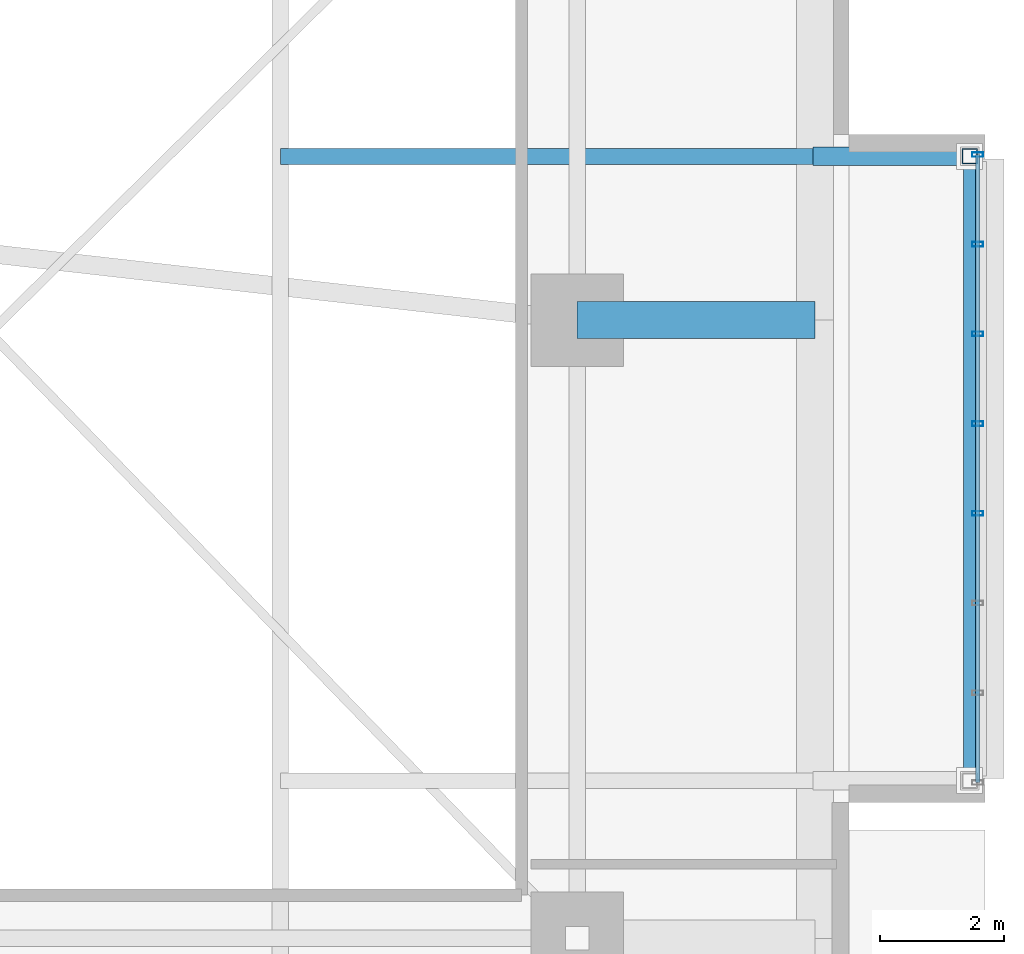
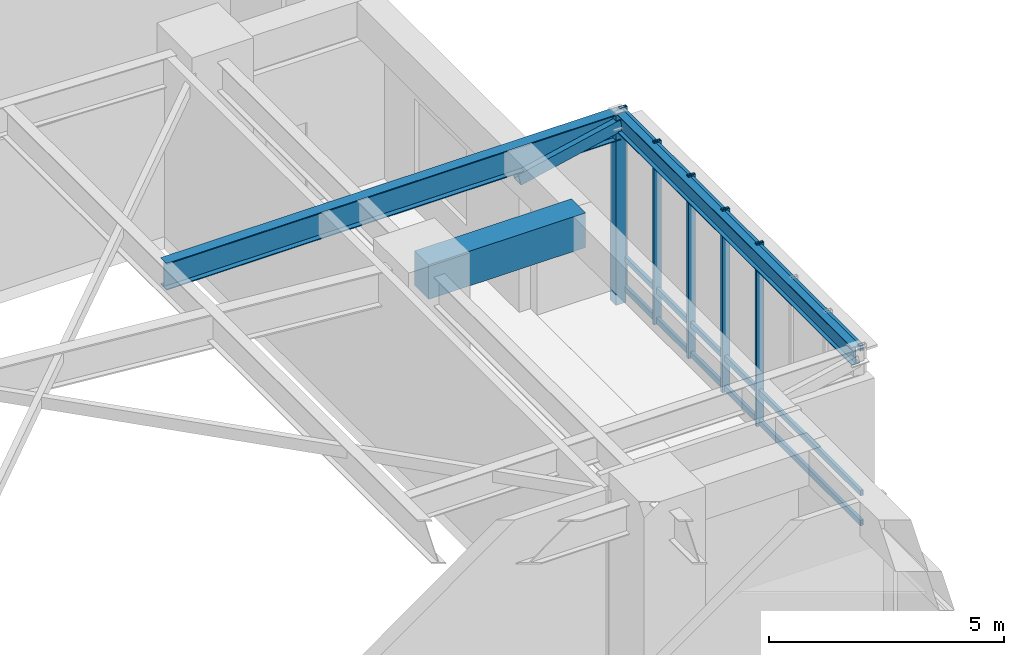
# One storey, part 14 of 26: 10 members, 3 beams, 1 element without a shape of its own.
"""IFC4 building model written with IfcOpenShell, lengths in metres."""

from ifc_helpers import new_model, si_unit, direction, frame, origin, origin_2d, place, context, subcontext, project, spatial, rectangle, hollow_rectangle, i_section, extrude, material, material_profile, profile_set, type_object, element, aggregate, save


model = new_model("IFC4")

# Units and contexts
model_context = context("Model", 3, precision=1e-05, world=origin(), true_north=direction((0.0, 1.0)))
body_context = subcontext(model_context, "Body", "Model", "MODEL_VIEW")
ifc_project = project(units=[si_unit("LENGTHUNIT", "METRE"), si_unit("AREAUNIT", "SQUARE_METRE"), si_unit("VOLUMEUNIT", "CUBIC_METRE"), si_unit("PLANEANGLEUNIT", "RADIAN"), si_unit("MASSUNIT", "GRAM", prefix="KILO")], contexts=[model_context])

# Site, building, storey
site_placement = place(None, origin())
site = spatial("IfcSite", under=ifc_project, at=site_placement, CompositionType="ELEMENT")
building_placement = place(site_placement, origin())
building = spatial("IfcBuilding", under=site, at=building_placement, Name="Zulverin Broadcast Headquarters", CompositionType="ELEMENT")
storey_placement = place(building_placement, frame((0.0, 0.0, 15.0)))
storey = spatial("IfcBuildingStorey", under=building, at=storey_placement, Name="L03", CompositionType="ELEMENT", Elevation=15.0)

# Beams
ifc_material_1 = material(Name="Concrete C40/50", Category="concrete")
ifc_material_profile_1 = material_profile(ifc_material_1, rectangle(XDim=0.60009765625, YDim=0.89990234375, at=origin_2d()), Name="Concrete C40/50", Category="concrete")
ifc_profile_set_1 = profile_set([ifc_material_profile_1], Name="Concrete C40/50")
beam_type_1 = type_object("IfcBeamType", Name="BM-RC-600x900", PredefinedType="BEAM", material=ifc_profile_set_1)
beam_1_placement = place(storey_placement, frame((69.60009765625, 25.199951171875, 4.22998046875), z_axis=(1.0, 0.0, 0.0), x_axis=(0.0, 1.0, 0.0)))
element("IfcBeam", 1, at=beam_1_placement, inside=storey, type_object=beam_type_1, Name="L03 East Perimeter Bracket Girder EBR-3", PredefinedType="BEAM", context=body_context, shape_type="SweptSolid", body=[
    extrude(rectangle(XDim=0.60009765625, YDim=0.89990234375, at=origin_2d()), origin(), (0.0, 0.0, 1.0), 3.849853515625),
])
ifc_material_2 = material(Name="Structural steel S355JR", Category="steel")
ifc_material_profile_2 = material_profile(ifc_material_2, i_section(OverallWidth=0.19287109375, OverallDepth=0.46728515625, WebThickness=0.011474609375, FlangeThickness=0.01953125, at=origin_2d()), Name="Structural steel S355JR", Category="steel")
ifc_profile_set_2 = profile_set([ifc_material_profile_2], Name="Structural steel S355JR")
beam_type_2 = type_object("IfcBeamType", Name="BM-UB-457", PredefinedType="JOIST", material=ifc_profile_set_2)
beam_2_placement = place(storey_placement, frame((75.949951171875, 17.75, 4.4462890625), z_axis=(0.0, 1.0, 0.0), x_axis=(-1.0, 0.0, 0.0)))
element("IfcBeam", 2, at=beam_2_placement, inside=storey, type_object=beam_type_2, Name="L03 Studio Box Edge Beam SBOX_POD_UPPER_E1", PredefinedType="JOIST", context=body_context, shape_type="SweptSolid", body=[
    extrude(i_section(OverallWidth=0.19287109375, OverallDepth=0.46728515625, WebThickness=0.011474609375, FlangeThickness=0.01953125, at=origin_2d()), origin(), (0.0, 0.0, 1.0), 10.10009765625),
])
ifc_material_profile_3 = material_profile(ifc_material_2, i_section(OverallWidth=0.255859375, OverallDepth=0.69287109375, WebThickness=0.014404296875, FlangeThickness=0.023681640625, at=origin_2d()), Name="Structural steel S355JR", Category="steel")
ifc_profile_set_3 = profile_set([ifc_material_profile_3], Name="Structural steel S355JR")
beam_type_3 = type_object("IfcBeamType", Name="BM-UB-686", PredefinedType="BEAM", material=ifc_profile_set_3)
beam_3_placement = place(storey_placement, frame((64.800048828125, 27.85009765625, 4.33349609375), z_axis=(1.0, 0.0, 0.0), x_axis=(0.0, 1.0, 0.0)))
element("IfcBeam", 3, at=beam_3_placement, inside=storey, type_object=beam_type_3, Name="L03 Studio Box Cantilever Girder SBOX_POD_UPPER_E1-2", PredefinedType="BEAM", context=body_context, shape_type="SweptSolid", body=[
    extrude(i_section(OverallWidth=0.255859375, OverallDepth=0.69287109375, WebThickness=0.014404296875, FlangeThickness=0.023681640625, at=origin_2d()), origin(), (0.0, 0.0, 1.0), 11.14990234375),
])

# Curtain wall, members
ifc_material_3 = material(Name="Acoustic triple-glazed studio box curtain wall", Category="aluminium")
curtain_wall_type = type_object("IfcCurtainWallType", Name="CW-SBOX", PredefinedType="USERDEFINED", material=ifc_material_3)
curtain_wall_placement = place(storey_placement, origin())
curtain_wall = element("IfcCurtainWall", 4, at=curtain_wall_placement, inside=storey, type_object=curtain_wall_type, Name="L03 Unitised Curtain Wall CW-L03-SBOX_POD_UPPER_E1-F", ObjectType="UNITISED CURTAIN WALL", PredefinedType="USERDEFINED")
ifc_material_4 = material(Name="Anodized pale-metal aluminium alloy 6063-T6", Category="aluminium")
ifc_material_profile_4 = material_profile(ifc_material_4, hollow_rectangle(XDim=0.074951171875, YDim=0.179931640625, WallThickness=0.0048828125, at=origin_2d()), Name="Anodized pale-metal aluminium alloy 6063-T6", Category="aluminium")
ifc_profile_set_4 = profile_set([ifc_material_profile_4], Name="Anodized pale-metal aluminium alloy 6063-T6")
member_type_1 = type_object("IfcMemberType", Name="CW-MUL-180", PredefinedType="MULLION", material=ifc_profile_set_4)
member_1_placement = place(storey_placement, frame((76.080078125, 22.07421875, -0.030029296875), z_axis=(0.0, 0.0, 1.0), x_axis=(0.0, 1.0, 0.0)))
member_1 = element("IfcMember", 5, at=member_1_placement, type_object=member_type_1, Name="CW-L03-SBOX_POD_UPPER_E1-F Mullion 03", PredefinedType="MULLION", context=body_context, shape_type="SweptSolid", body=[
    extrude(hollow_rectangle(XDim=0.074951171875, YDim=0.179931640625, WallThickness=0.0048828125, at=origin_2d()), origin(), (0.0, 0.0, 1.0), 4.739990234375),
])
member_2_placement = place(storey_placement, frame((76.080078125, 23.525634765625, -0.030029296875), z_axis=(0.0, 0.0, 1.0), x_axis=(0.0, 1.0, 0.0)))
member_2 = element("IfcMember", 6, at=member_2_placement, type_object=member_type_1, Name="CW-L03-SBOX_POD_UPPER_E1-F Mullion 04", PredefinedType="MULLION", context=body_context, shape_type="SweptSolid", body=[
    extrude(hollow_rectangle(XDim=0.074951171875, YDim=0.179931640625, WallThickness=0.0048828125, at=origin_2d()), origin(), (0.0, 0.0, 1.0), 4.739990234375),
])
member_3_placement = place(storey_placement, frame((76.080078125, 24.97705078125, -0.030029296875), z_axis=(0.0, 0.0, 1.0), x_axis=(0.0, 1.0, 0.0)))
member_3 = element("IfcMember", 7, at=member_3_placement, type_object=member_type_1, Name="CW-L03-SBOX_POD_UPPER_E1-F Mullion 05", PredefinedType="MULLION", context=body_context, shape_type="SweptSolid", body=[
    extrude(hollow_rectangle(XDim=0.074951171875, YDim=0.179931640625, WallThickness=0.0048828125, at=origin_2d()), origin(), (0.0, 0.0, 1.0), 4.739990234375),
])
member_4_placement = place(storey_placement, frame((76.080078125, 26.4287109375, -0.030029296875), z_axis=(0.0, 0.0, 1.0), x_axis=(0.0, 1.0, 0.0)))
member_4 = element("IfcMember", 8, at=member_4_placement, type_object=member_type_1, Name="CW-L03-SBOX_POD_UPPER_E1-F Mullion 06", PredefinedType="MULLION", context=body_context, shape_type="SweptSolid", body=[
    extrude(hollow_rectangle(XDim=0.074951171875, YDim=0.179931640625, WallThickness=0.0048828125, at=origin_2d()), origin(), (0.0, 0.0, 1.0), 4.739990234375),
])
member_5_placement = place(storey_placement, frame((76.080078125, 27.8798828125, -0.030029296875), z_axis=(0.0, 0.0, 1.0), x_axis=(0.0, 1.0, 0.0)))
member_5 = element("IfcMember", 9, at=member_5_placement, type_object=member_type_1, Name="CW-L03-SBOX_POD_UPPER_E1-F Mullion 07", PredefinedType="MULLION", context=body_context, shape_type="SweptSolid", body=[
    extrude(hollow_rectangle(XDim=0.074951171875, YDim=0.179931640625, WallThickness=0.0048828125, at=origin_2d()), origin(), (0.0, 0.0, 1.0), 4.739990234375),
])
ifc_material_profile_5 = material_profile(ifc_material_4, hollow_rectangle(XDim=0.074951171875, YDim=0.14990234375, WallThickness=0.0048828125, at=origin_2d()), Name="Anodized pale-metal aluminium alloy 6063-T6", Category="aluminium")
ifc_profile_set_5 = profile_set([ifc_material_profile_5], Name="Anodized pale-metal aluminium alloy 6063-T6")
member_type_2 = type_object("IfcMemberType", Name="CW-TRN-150", PredefinedType="USERDEFINED", material=ifc_profile_set_5)
member_6_placement = place(storey_placement, frame((76.080078125, 17.719970703125, 0.074951171875), z_axis=(0.0, 1.0, 0.0), x_axis=(-1.0, 0.0, 0.0)))
member_6 = element("IfcMember", 10, at=member_6_placement, type_object=member_type_2, Name="CW-L03-SBOX_POD_UPPER_E1-F Transom 0", ObjectType="TRANSOM", PredefinedType="USERDEFINED", context=body_context, shape_type="SweptSolid", body=[
    extrude(hollow_rectangle(XDim=0.074951171875, YDim=0.14990234375, WallThickness=0.0048828125, at=origin_2d()), origin(), (0.0, 0.0, 1.0), 10.159912109375),
])
member_7_placement = place(storey_placement, frame((76.080078125, 17.719970703125, 0.85009765625), z_axis=(0.0, 1.0, 0.0), x_axis=(-1.0, 0.0, 0.0)))
member_7 = element("IfcMember", 11, at=member_7_placement, type_object=member_type_2, Name="CW-L03-SBOX_POD_UPPER_E1-F Transom 1", ObjectType="TRANSOM", PredefinedType="USERDEFINED", context=body_context, shape_type="SweptSolid", body=[
    extrude(hollow_rectangle(XDim=0.074951171875, YDim=0.14990234375, WallThickness=0.0048828125, at=origin_2d()), origin(), (0.0, 0.0, 1.0), 10.159912109375),
])
member_8_placement = place(storey_placement, frame((76.080078125, 17.719970703125, 4.60498046875), z_axis=(0.0, 1.0, 0.0), x_axis=(-1.0, 0.0, 0.0)))
member_8 = element("IfcMember", 12, at=member_8_placement, type_object=member_type_2, Name="CW-L03-SBOX_POD_UPPER_E1-F Transom 2", ObjectType="TRANSOM", PredefinedType="USERDEFINED", context=body_context, shape_type="SweptSolid", body=[
    extrude(hollow_rectangle(XDim=0.074951171875, YDim=0.14990234375, WallThickness=0.0048828125, at=origin_2d()), origin(), (0.0, 0.0, 1.0), 10.159912109375),
])
aggregate(curtain_wall, [member_1, member_2, member_3, member_4, member_5, member_6, member_7, member_8])

# Members
ifc_material_profile_6 = material_profile(ifc_material_2, hollow_rectangle(XDim=0.300048828125, YDim=0.300048828125, WallThickness=0.01611328125, at=origin_2d()), Name="Structural steel S355JR", Category="steel")
ifc_profile_set_6 = profile_set([ifc_material_profile_6], Name="Structural steel S355JR")
member_type_3 = type_object("IfcMemberType", Name="MBR-BLT-DIAG1", PredefinedType="BRACE", material=ifc_profile_set_6)
member_9_placement = place(storey_placement, frame((73.449951171875, 27.85009765625, 3.830078125), z_axis=(0.976660475394, 0.0, 0.214789002987), x_axis=(0.0, 1.0, 0.0)))
element("IfcMember", 13, at=member_9_placement, inside=storey, type_object=member_type_3, Name="L03 Studio Box Raking Knee Brace SBOX_POD_UPPER_E1-2", PredefinedType="BRACE", context=body_context, shape_type="SweptSolid", body=[
    extrude(hollow_rectangle(XDim=0.300048828125, YDim=0.300048828125, WallThickness=0.01611328125, at=origin_2d()), origin(), (0.0, 0.0, 1.0), 2.559814453125),
])
ifc_material_profile_7 = material_profile(ifc_material_2, hollow_rectangle(XDim=0.25, YDim=0.25, WallThickness=0.01611328125, at=origin_2d()), Name="Structural steel S355JR", Category="steel")
ifc_profile_set_7 = profile_set([ifc_material_profile_7], Name="Structural steel S355JR")
member_type_4 = type_object("IfcMemberType", Name="MBR-BLT-POST", PredefinedType="POST", material=ifc_profile_set_7)
member_10_placement = place(storey_placement, frame((75.949951171875, 27.85009765625, -0.27001953125), z_axis=(0.0, 0.0, 1.0), x_axis=(1.0, 0.0, 0.0)))
element("IfcMember", 14, at=member_10_placement, inside=storey, type_object=member_type_4, Name="L03 Shifted Studio Box Frame Post SBOX_POD_UPPER_E1-2", PredefinedType="POST", context=body_context, shape_type="SweptSolid", body=[
    extrude(hollow_rectangle(XDim=0.25, YDim=0.25, WallThickness=0.01611328125, at=origin_2d()), origin(), (0.0, 0.0, 1.0), 4.949951171875),
])

save(model, "model.ifc")
